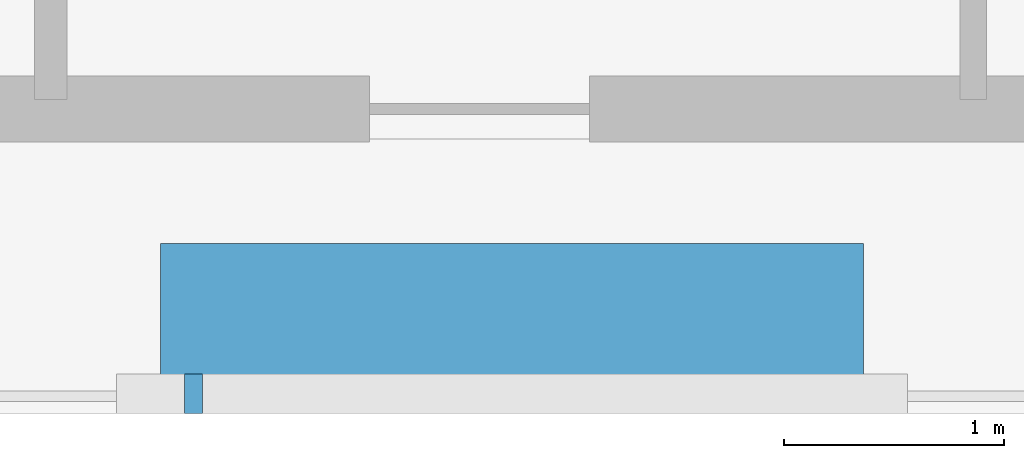
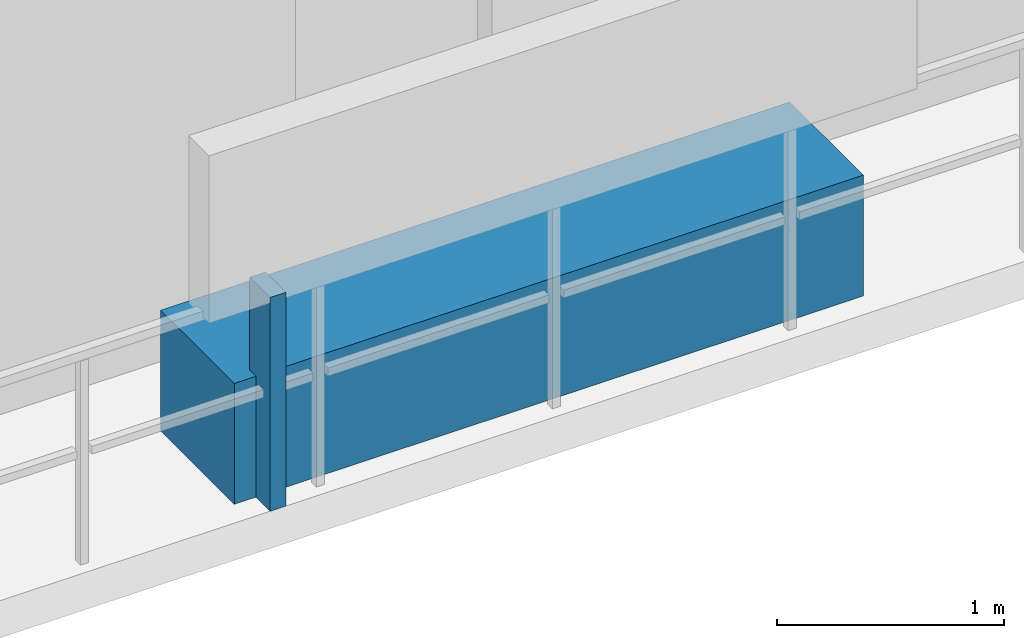
# One storey, part 29 of 33: 2 discrete accessories.
"""IFC4 building model written with IfcOpenShell, lengths in metres."""

from ifc_helpers import new_model, si_unit, direction, frame, origin, origin_2d, place, context, subcontext, project, spatial, rectangle, extrude, material, type_object, element, save


model = new_model("IFC4")

# Units and contexts
model_context = context("Model", 3, precision=1e-05, world=origin(), true_north=direction((0.0, 1.0)))
body_context = subcontext(model_context, "Body", "Model", "MODEL_VIEW")
ifc_project = project(units=[si_unit("LENGTHUNIT", "METRE"), si_unit("AREAUNIT", "SQUARE_METRE"), si_unit("VOLUMEUNIT", "CUBIC_METRE"), si_unit("PLANEANGLEUNIT", "RADIAN"), si_unit("MASSUNIT", "GRAM", prefix="KILO")], contexts=[model_context])

# Site, building, storey
site_placement = place(None, origin())
site = spatial("IfcSite", under=ifc_project, at=site_placement, CompositionType="ELEMENT")
building_placement = place(site_placement, origin())
building = spatial("IfcBuilding", under=site, at=building_placement, Name="Thornwick Lancets Civic Towers", CompositionType="ELEMENT")
storey_placement = place(building_placement, frame((0.0, 0.0, 207.300048828125)))
storey = spatial("IfcBuildingStorey", under=building, at=storey_placement, Name="L55", CompositionType="ELEMENT", Elevation=207.300048828125)

# Discrete accessories
ifc_material_1 = material(Name="Planted terracotta greenery planter", Category="masonry")
discrete_accessory_type_1 = type_object("IfcDiscreteAccessoryType", Name="ACC_PLANTER_BOX", PredefinedType="USERDEFINED", material=ifc_material_1)
discrete_accessory_1_placement = place(storey_placement, frame((88.5, 2.300048828125, 0.0), z_axis=(0.0, 0.0, 1.0), x_axis=(1.0, 0.0, 0.0)))
element("IfcDiscreteAccessory", 1, at=discrete_accessory_1_placement, inside=storey, type_object=discrete_accessory_type_1, Name="L55 Tower B Balcony Greenery Planter S", ObjectType="PLANTER", PredefinedType="USERDEFINED", context=body_context, shape_type="SweptSolid", body=[
    extrude(rectangle(XDim=3.199951171875, YDim=0.64990234375, at=origin_2d()), origin(), (0.0, 0.0, 1.0), 0.64990234375),
])
ifc_material_2 = material(Name="Stainless steel S355", Category="steel")
discrete_accessory_type_2 = type_object("IfcDiscreteAccessoryType", Name="ACC_SCREEN_BRACKET", PredefinedType="BRACKET", material=ifc_material_2)
discrete_accessory_2_placement = place(storey_placement, frame((87.050048828125, 1.93994140625, 0.0), z_axis=(0.0, 0.0, 1.0), x_axis=(1.0, 0.0, 0.0)))
element("IfcDiscreteAccessory", 2, at=discrete_accessory_2_placement, inside=storey, type_object=discrete_accessory_type_2, Name="L55 Tower B Balcony Screen Stanchion Bracket S-1", PredefinedType="BRACKET", context=body_context, shape_type="SweptSolid", body=[
    extrude(rectangle(XDim=0.080078125, YDim=0.179931640625, at=origin_2d()), origin(), (0.0, 0.0, 1.0), 1.14990234375),
])

save(model, "model.ifc")
